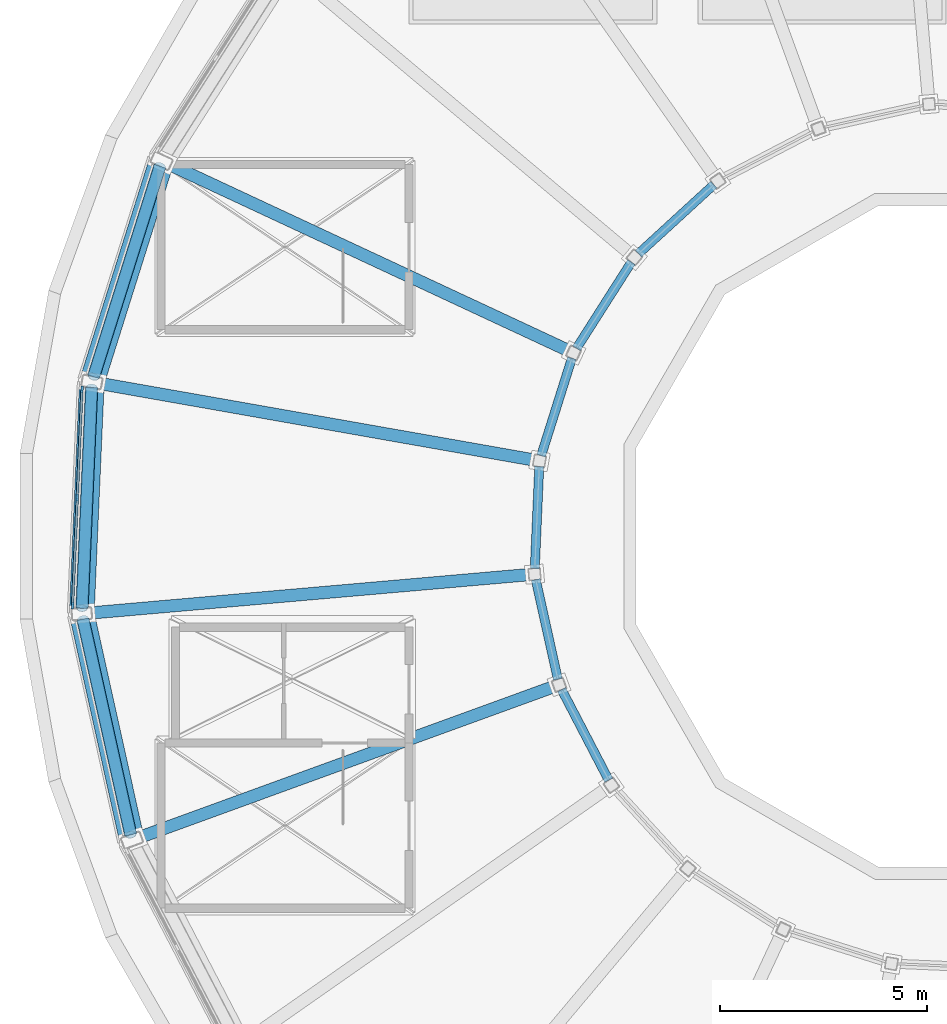
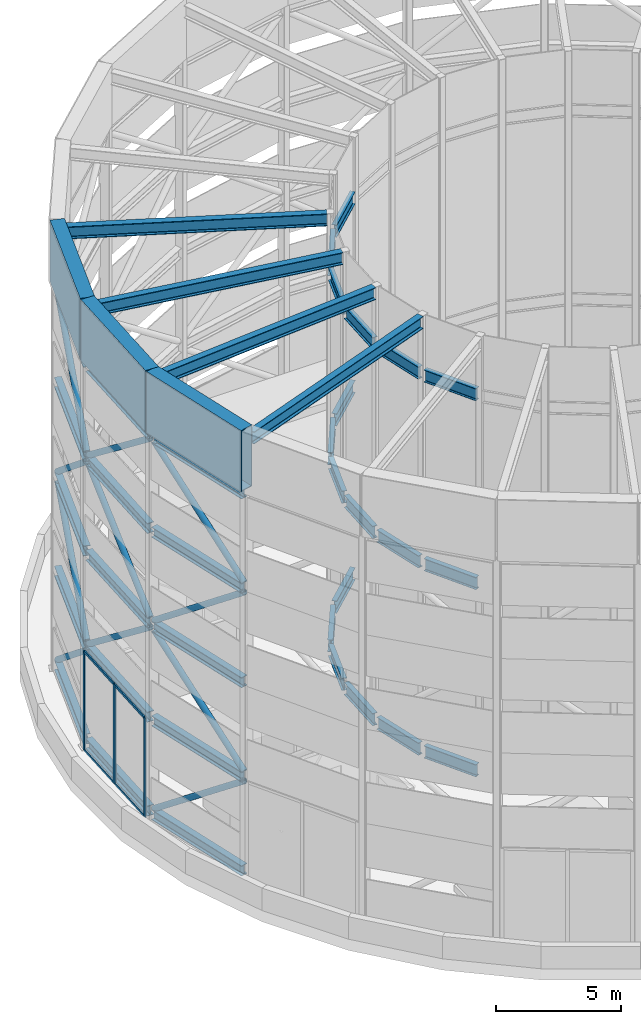
# One storey, part 6 of 20: 40 beams, 18 members, 1 element without a shape of its own.
"""IFC4 building model written with IfcOpenShell, lengths in metres."""

from ifc_helpers import new_model, si_unit, direction, frame, origin, origin_2d, place, context, subcontext, project, spatial, rectangle, hollow_rectangle, hollow_circle, i_section, extrude, material, layer, layer_set, material_profile, profile_set, type_object, element, aggregate, save


model = new_model("IFC4")

# Units and contexts
model_context = context("Model", 3, precision=1e-05, world=origin(), true_north=direction((0.0, 1.0)))
body_context = subcontext(model_context, "Body", "Model", "MODEL_VIEW")
ifc_project = project(units=[si_unit("LENGTHUNIT", "METRE"), si_unit("AREAUNIT", "SQUARE_METRE"), si_unit("VOLUMEUNIT", "CUBIC_METRE"), si_unit("PLANEANGLEUNIT", "RADIAN"), si_unit("MASSUNIT", "GRAM", prefix="KILO")], contexts=[model_context])

# Site, building, storey
site_placement = place(None, origin())
site = spatial("IfcSite", under=ifc_project, at=site_placement, CompositionType="ELEMENT")
building_placement = place(site_placement, origin())
building = spatial("IfcBuilding", under=site, at=building_placement, Name="Saqina Gate Tower", CompositionType="ELEMENT")
storey_placement = place(building_placement, frame((0.0, 0.0, 284.199951171875)))
storey = spatial("IfcBuildingStorey", under=building, at=storey_placement, Name="RF", CompositionType="ELEMENT", Elevation=284.199951171875)

# Curtain wall, members
ifc_material_1 = material(Name="Aluminium glazing", Category="aluminium")
ifc_layer = layer(ifc_material_1, 0.159912109375)
ifc_layer_set = layer_set([ifc_layer], Name="CWT-5")
curtain_wall_type = type_object("IfcCurtainWallType", Name="CWT-5", PredefinedType="NOTDEFINED", material=ifc_layer_set)
curtain_wall_placement = place(storey_placement, origin())
curtain_wall = element("IfcCurtainWall", 1, at=curtain_wall_placement, inside=storey, type_object=curtain_wall_type, Name="Crown glazing bay 12", PredefinedType="NOTDEFINED")
ifc_material_2 = material(Name="Aluminium", Category="aluminium")
ifc_material_profile_1 = material_profile(ifc_material_2, rectangle(XDim=0.06005859375, YDim=0.159912109375, at=origin_2d()), Name="Aluminium 60x160")
ifc_profile_set_1 = profile_set([ifc_material_profile_1], Name="Aluminium")
member_type_1 = type_object("IfcMemberType", Name="CWT-5M", PredefinedType="MULLION", material=ifc_profile_set_1)
member_1_placement = place(storey_placement, frame((-21.410888671875, 3.562744140625, 0.0), z_axis=(0.0, 0.0, 1.0), x_axis=(0.999047790721, -0.043629254589, 0.0)))
member_1 = element("IfcMember", 2, at=member_1_placement, type_object=member_type_1, Name="CW5-12 mullion 1", PredefinedType="MULLION", context=body_context, shape_type="SweptSolid", body=[
    extrude(rectangle(XDim=0.06005859375, YDim=0.159912109375, at=origin_2d()), origin(), (0.0, 0.0, 1.0), 4.875),
])
member_2_placement = place(storey_placement, frame((-21.525634765625, 0.939697265625, 0.0), z_axis=(0.0, 0.0, 1.0), x_axis=(0.999047790721, -0.043629254589, 0.0)))
member_2 = element("IfcMember", 3, at=member_2_placement, type_object=member_type_1, Name="CW5-12 mullion 2", PredefinedType="MULLION", context=body_context, shape_type="SweptSolid", body=[
    extrude(rectangle(XDim=0.06005859375, YDim=0.159912109375, at=origin_2d()), origin(), (0.0, 0.0, 1.0), 4.875),
])
member_3_placement = place(storey_placement, frame((-21.64013671875, -1.68310546875, 0.0), z_axis=(0.0, 0.0, 1.0), x_axis=(0.999047790721, -0.043629254589, 0.0)))
member_3 = element("IfcMember", 4, at=member_3_placement, type_object=member_type_1, Name="CW5-12 mullion 3", PredefinedType="MULLION", context=body_context, shape_type="SweptSolid", body=[
    extrude(rectangle(XDim=0.06005859375, YDim=0.159912109375, at=origin_2d()), origin(), (0.0, 0.0, 1.0), 4.875),
])
ifc_material_3 = material(Name="Aluminium", Category="aluminium")
ifc_material_profile_2 = material_profile(ifc_material_3, rectangle(XDim=0.06005859375, YDim=0.1201171875, at=origin_2d()), Name="Aluminium 60x120")
ifc_profile_set_2 = profile_set([ifc_material_profile_2], Name="Aluminium")
member_type_2 = type_object("IfcMemberType", Name="CWT-5T", PredefinedType="USERDEFINED", material=ifc_profile_set_2)
member_4_placement = place(storey_placement, frame((-21.412353515625, 3.53271484375, 0.030029296875), z_axis=(-0.043585897781, -0.999049683206, 0.0), x_axis=(0.999049683206, -0.043585897781, 0.0)))
member_4 = element("IfcMember", 5, at=member_4_placement, type_object=member_type_2, Name="CW5-12 transom 1.1", ObjectType="TRANSOM", PredefinedType="USERDEFINED", context=body_context, shape_type="SweptSolid", body=[
    extrude(rectangle(XDim=0.06005859375, YDim=0.1201171875, at=origin_2d()), origin(), (0.0, 0.0, 1.0), 2.5654296875),
])
member_5_placement = place(storey_placement, frame((-21.412353515625, 3.53271484375, 4.844970703125), z_axis=(-0.043585897781, -0.999049683206, 0.0), x_axis=(0.999049683206, -0.043585897781, 0.0)))
member_5 = element("IfcMember", 6, at=member_5_placement, type_object=member_type_2, Name="CW5-12 transom 1.2", ObjectType="TRANSOM", PredefinedType="USERDEFINED", context=body_context, shape_type="SweptSolid", body=[
    extrude(rectangle(XDim=0.06005859375, YDim=0.1201171875, at=origin_2d()), origin(), (0.0, 0.0, 1.0), 2.5654296875),
])
member_6_placement = place(storey_placement, frame((-21.52685546875, 0.909912109375, 0.030029296875), z_axis=(-0.043585897781, -0.999049683206, 0.0), x_axis=(0.999049683206, -0.043585897781, 0.0)))
member_6 = element("IfcMember", 7, at=member_6_placement, type_object=member_type_2, Name="CW5-12 transom 2.1", ObjectType="TRANSOM", PredefinedType="USERDEFINED", context=body_context, shape_type="SweptSolid", body=[
    extrude(rectangle(XDim=0.06005859375, YDim=0.1201171875, at=origin_2d()), origin(), (0.0, 0.0, 1.0), 2.5654296875),
])
member_7_placement = place(storey_placement, frame((-21.52685546875, 0.909912109375, 4.844970703125), z_axis=(-0.043585897781, -0.999049683206, 0.0), x_axis=(0.999049683206, -0.043585897781, 0.0)))
member_7 = element("IfcMember", 8, at=member_7_placement, type_object=member_type_2, Name="CW5-12 transom 2.2", ObjectType="TRANSOM", PredefinedType="USERDEFINED", context=body_context, shape_type="SweptSolid", body=[
    extrude(rectangle(XDim=0.06005859375, YDim=0.1201171875, at=origin_2d()), origin(), (0.0, 0.0, 1.0), 2.5654296875),
])
aggregate(curtain_wall, [member_1, member_2, member_3, member_4, member_5, member_6, member_7])

# Beams
ifc_material_4 = material(Name="Steel S460", Category="steel")
ifc_material_profile_3 = material_profile(ifc_material_4, hollow_rectangle(XDim=0.60009765625, YDim=3.0, WallThickness=0.0400390625, at=origin_2d()), Name="BOX 600x3000x40")
ifc_profile_set_3 = profile_set([ifc_material_profile_3], Name="Steel S460")
beam_type_1 = type_object("IfcBeamType", Name="STR-CROWN CAP GIRDER-BOX 600x3000x40", PredefinedType="BEAM", material=ifc_profile_set_3)
for number, where, z_axis, x_axis, name in (
    (9, (-19.485595703125, 9.086181640625, 20.5), (-0.300708729492, -0.953716026922, 0.0), (0.953716026922, -0.300708729492, 0.0), "CROWN CAP GIRDER 11"),
    (10, (-21.17333984375, 3.7333984375, 20.5), (-0.043629769301, -0.999047768243, 0.0), (0.999047768243, -0.043629769301, 0.0), "CROWN CAP GIRDER 12"),
):
    element("IfcBeam", number, at=place(storey_placement, frame(where, z_axis=z_axis, x_axis=x_axis)), inside=storey, type_object=beam_type_1, Name=name, PredefinedType="BEAM", context=body_context, shape_type="SweptSolid", body=[
        extrude(hollow_rectangle(XDim=0.60009765625, YDim=3.0, WallThickness=0.0400390625, at=origin_2d()), origin(), (0.0, 0.0, 1.0), 5.612548828125),
    ])
beam_1_placement = place(storey_placement, frame((-21.418212890625, -1.873779296875, 20.5), z_axis=(0.216442238202, -0.976295425331, 0.0), x_axis=(0.976295425331, 0.216442238202, 0.0)))
element("IfcBeam", 11, at=beam_1_placement, inside=storey, type_object=beam_type_1, Name="CROWN CAP GIRDER 13", PredefinedType="BEAM", context=body_context, shape_type="SweptSolid", body=[
    extrude(hollow_rectangle(XDim=0.60009765625, YDim=3.0, WallThickness=0.0400390625, at=origin_2d()), origin(), (0.0, 0.0, 1.0), 5.61279296875),
])
ifc_material_5 = material(Name="Steel S460", Category="steel")
ifc_material_profile_4 = material_profile(ifc_material_5, i_section(OverallWidth=0.300048828125, OverallDepth=0.60009765625, WebThickness=0.015380859375, FlangeThickness=0.030029296875, FilletRadius=0.027099609375, at=origin_2d()), Name="HE 600 B")
ifc_profile_set_4 = profile_set([ifc_material_profile_4], Name="Steel S460")
beam_type_2 = type_object("IfcBeamType", Name="STR-CROWN DECK BEAM-HE 600 B", PredefinedType="BEAM", material=ifc_profile_set_4)
for number, where, z_axis, x_axis, name in (
    (12, (-9.6357421875, 4.4931640625, 21.400146484375), (-0.906305271723, 0.422623655806, 0.0), (-0.422623655806, -0.906305271723, 0.0), "CROWN DECK BEAM 11"),
    (13, (-10.470458984375, 1.84619140625, 21.400146484375), (-0.984806342051, 0.173656179436, 0.0), (-0.173656179436, -0.984806342051, 0.0), "CROWN DECK BEAM 12"),
    (14, (-10.591552734375, -0.9267578125, 21.400146484375), (-0.99619607424, -0.087140011874, 0.0), (0.087140011874, -0.99619607424, 0.0), "CROWN DECK BEAM 13"),
):
    element("IfcBeam", number, at=place(storey_placement, frame(where, z_axis=z_axis, x_axis=x_axis)), inside=storey, type_object=beam_type_2, Name=name, PredefinedType="BEAM", context=body_context, shape_type="SweptSolid", body=[
        extrude(i_section(OverallWidth=0.300048828125, OverallDepth=0.60009765625, WebThickness=0.015380859375, FlangeThickness=0.030029296875, FilletRadius=0.027099609375, at=origin_2d()), origin(), (0.0, 0.0, 1.0), 10.568115234375),
    ])
beam_2_placement = place(storey_placement, frame((-9.99072265625, -3.636474609375, 21.400146484375), z_axis=(-0.939698955875, -0.342002737309, 0.0), x_axis=(0.342002737309, -0.939698955875, 0.0)))
element("IfcBeam", 15, at=beam_2_placement, inside=storey, type_object=beam_type_2, Name="CROWN DECK BEAM 14", PredefinedType="BEAM", context=body_context, shape_type="SweptSolid", body=[
    extrude(i_section(OverallWidth=0.300048828125, OverallDepth=0.60009765625, WebThickness=0.015380859375, FlangeThickness=0.030029296875, FilletRadius=0.027099609375, at=origin_2d()), origin(), (0.0, 0.0, 1.0), 10.56787109375),
])

# Members
ifc_material_6 = material(Name="Steel S460", Category="steel")
ifc_material_profile_5 = material_profile(ifc_material_6, hollow_circle(Radius=0.136474609375, WallThickness=0.012451171875, at=origin_2d()), Name="CHS 273x12.5")
ifc_profile_set_5 = profile_set([ifc_material_profile_5], Name="Steel S460")
member_type_3 = type_object("IfcMemberType", Name="STR-CROWN FRAME BRACE-CHS 273x12.5", PredefinedType="BRACE", material=ifc_profile_set_5)
for number, where, z_axis, x_axis, name in (
    (16, (-21.1337890625, 3.858642578125, 5.113037109375), (0.237602179448, 0.753663006597, 0.612810963355), (-0.953726695948, 0.300674889933, 0.0), "CROWN FRAME BRACE 2-11"),
    (17, (-21.17919921875, 3.602294921875, 5.113037109375), (-0.034437923072, -0.789475863672, 0.612814727413), (0.999049948939, -0.043579806387, 0.0), "CROWN FRAME BRACE 2-12"),
):
    element("IfcMember", number, at=place(storey_placement, frame(where, z_axis=z_axis, x_axis=x_axis)), inside=storey, type_object=member_type_3, Name=name, PredefinedType="BRACE", context=body_context, shape_type="SweptSolid", body=[
        extrude(hollow_circle(Radius=0.136474609375, WallThickness=0.012451171875, at=origin_2d()), origin(), (0.0, 0.0, 1.0), 6.770263671875),
    ])
member_8_placement = place(storey_placement, frame((-20.231689453125, -7.225341796875, 5.113037109375), z_axis=(-0.171032716507, 0.771504315764, 0.6128041291), x_axis=(-0.976297523926, -0.216432771955, 0.0)))
element("IfcMember", 18, at=member_8_placement, inside=storey, type_object=member_type_3, Name="CROWN FRAME BRACE 2-13", PredefinedType="BRACE", context=body_context, shape_type="SweptSolid", body=[
    extrude(hollow_circle(Radius=0.136474609375, WallThickness=0.012451171875, at=origin_2d()), origin(), (0.0, 0.0, 1.0), 6.7705078125),
])
for number, where, z_axis, x_axis, name in (
    (19, (-19.525146484375, 8.961181640625, 9.738037109375), (-0.237602179448, -0.753663006597, 0.612810963355), (0.953726695948, -0.300674889933, 0.0), "CROWN FRAME BRACE 3-11"),
    (20, (-21.412353515625, -1.74267578125, 9.738037109375), (0.034437923072, 0.789475863672, 0.612814727413), (-0.999049948939, 0.043579806387, 0.0), "CROWN FRAME BRACE 3-12"),
):
    element("IfcMember", number, at=place(storey_placement, frame(where, z_axis=z_axis, x_axis=x_axis)), inside=storey, type_object=member_type_3, Name=name, PredefinedType="BRACE", context=body_context, shape_type="SweptSolid", body=[
        extrude(hollow_circle(Radius=0.136474609375, WallThickness=0.012451171875, at=origin_2d()), origin(), (0.0, 0.0, 1.0), 6.770263671875),
    ])
member_9_placement = place(storey_placement, frame((-21.3896484375, -2.001953125, 9.738037109375), z_axis=(0.171032716507, -0.771504315764, 0.6128041291), x_axis=(0.976297523926, 0.216432771955, 0.0)))
element("IfcMember", 21, at=member_9_placement, inside=storey, type_object=member_type_3, Name="CROWN FRAME BRACE 3-13", PredefinedType="BRACE", context=body_context, shape_type="SweptSolid", body=[
    extrude(hollow_circle(Radius=0.136474609375, WallThickness=0.012451171875, at=origin_2d()), origin(), (0.0, 0.0, 1.0), 6.7705078125),
])
for number, where, z_axis, x_axis, name in (
    (22, (-21.1337890625, 3.858642578125, 14.363037109375), (0.237602179448, 0.753663006597, 0.612810963355), (-0.953726695948, 0.300674889933, 0.0), "CROWN FRAME BRACE 4-11"),
    (23, (-21.17919921875, 3.602294921875, 14.363037109375), (-0.034437923072, -0.789475863672, 0.612814727413), (0.999049948939, -0.043579806387, 0.0), "CROWN FRAME BRACE 4-12"),
):
    element("IfcMember", number, at=place(storey_placement, frame(where, z_axis=z_axis, x_axis=x_axis)), inside=storey, type_object=member_type_3, Name=name, PredefinedType="BRACE", context=body_context, shape_type="SweptSolid", body=[
        extrude(hollow_circle(Radius=0.136474609375, WallThickness=0.012451171875, at=origin_2d()), origin(), (0.0, 0.0, 1.0), 6.770263671875),
    ])
member_10_placement = place(storey_placement, frame((-20.231689453125, -7.225341796875, 14.363037109375), z_axis=(-0.171032716507, 0.771504315764, 0.6128041291), x_axis=(-0.976297523926, -0.216432771955, 0.0)))
element("IfcMember", 24, at=member_10_placement, inside=storey, type_object=member_type_3, Name="CROWN FRAME BRACE 4-13", PredefinedType="BRACE", context=body_context, shape_type="SweptSolid", body=[
    extrude(hollow_circle(Radius=0.136474609375, WallThickness=0.012451171875, at=origin_2d()), origin(), (0.0, 0.0, 1.0), 6.7705078125),
])
ifc_material_7 = material(Name="Steel S460", Category="steel")
ifc_material_profile_6 = material_profile(ifc_material_7, hollow_circle(Radius=0.136474609375, WallThickness=0.02490234375, at=origin_2d()), Name="CHS 273x25")
ifc_profile_set_6 = profile_set([ifc_material_profile_6], Name="Steel S460")
member_type_4 = type_object("IfcMemberType", Name="STR-CROWN FRAME BRACE-CHS 273x25", PredefinedType="BRACE", material=ifc_profile_set_6)
for number, where, z_axis, x_axis, name in (
    (25, (-19.525146484375, 8.961181640625, 0.512939453125), (-0.238137938735, -0.755362410009, 0.61050630765), (0.953726695948, -0.300674889933, 0.0), "CROWN FRAME BRACE 1-11"),
    (26, (-21.3896484375, -2.001953125, 0.512939453125), (0.171418362445, -0.77324390987, 0.610499468358), (0.976297523926, 0.216432771955, 0.0), "CROWN FRAME BRACE 1-13"),
):
    element("IfcMember", number, at=place(storey_placement, frame(where, z_axis=z_axis, x_axis=x_axis)), inside=storey, type_object=member_type_4, Name=name, PredefinedType="BRACE", context=body_context, shape_type="SweptSolid", body=[
        extrude(hollow_circle(Radius=0.136474609375, WallThickness=0.02490234375, at=origin_2d()), origin(), (0.0, 0.0, 1.0), 6.755126953125),
    ])

# Beams
ifc_material_8 = material(Name="Steel S460", Category="steel")
ifc_material_profile_7 = material_profile(ifc_material_8, i_section(OverallWidth=0.219970703125, OverallDepth=0.60009765625, WebThickness=0.011962890625, FlangeThickness=0.01904296875, FilletRadius=0.02392578125, at=origin_2d()), Name="IPE 600")
ifc_profile_set_7 = profile_set([ifc_material_profile_7], Name="Steel S460")
beam_type_3 = type_object("IfcBeamType", Name="STR-CROWN RING BEAM INNER-IPE 600", PredefinedType="BEAM", material=ifc_profile_set_7)
beam_3_placement = place(storey_placement, frame((-6.119384765625, 8.512451171875, 0.324951171875), z_axis=(-0.737264523509, -0.675604190614, 0.0), x_axis=(0.675604190614, -0.737264523509, 0.0)))
element("IfcBeam", 27, at=beam_3_placement, inside=storey, type_object=beam_type_3, Name="CROWN RING BEAM INNER 1-09", PredefinedType="BEAM", context=body_context, shape_type="SweptSolid", body=[
    extrude(i_section(OverallWidth=0.219970703125, OverallDepth=0.60009765625, WebThickness=0.011962890625, FlangeThickness=0.01904296875, FilletRadius=0.02392578125, at=origin_2d()), origin(), (0.0, 0.0, 1.0), 2.478515625),
])
beam_4_placement = place(storey_placement, frame((-8.114013671875, 6.638427734375, 0.324951171875), z_axis=(-0.537372585225, -0.843344949975, 0.0), x_axis=(0.843344949975, -0.537372585225, 0.0)))
element("IfcBeam", 28, at=beam_4_placement, inside=storey, type_object=beam_type_3, Name="CROWN RING BEAM INNER 1-10", PredefinedType="BEAM", context=body_context, shape_type="SweptSolid", body=[
    extrude(i_section(OverallWidth=0.219970703125, OverallDepth=0.60009765625, WebThickness=0.011962890625, FlangeThickness=0.01904296875, FilletRadius=0.02392578125, at=origin_2d()), origin(), (0.0, 0.0, 1.0), 2.478271484375),
])
for number, where, z_axis, x_axis, name in (
    (29, (-9.5556640625, 4.312255859375, 0.324951171875), (-0.300730628861, -0.953709121727, 0.0), (0.953709121727, -0.300730628861, 0.0), "CROWN RING BEAM INNER 1-11"),
    (30, (-10.34619140625, 1.692138671875, 0.324951171875), (-0.043638138376, -0.999047402719, 0.0), (0.999047402719, -0.043638138376, 0.0), "CROWN RING BEAM INNER 1-12"),
):
    element("IfcBeam", number, at=place(storey_placement, frame(where, z_axis=z_axis, x_axis=x_axis)), inside=storey, type_object=beam_type_3, Name=name, PredefinedType="BEAM", context=body_context, shape_type="SweptSolid", body=[
        extrude(i_section(OverallWidth=0.219970703125, OverallDepth=0.60009765625, WebThickness=0.011962890625, FlangeThickness=0.01904296875, FilletRadius=0.02392578125, at=origin_2d()), origin(), (0.0, 0.0, 1.0), 2.478515625),
    ])
beam_5_placement = place(storey_placement, frame((-10.431640625, -1.043212890625, 0.324951171875), z_axis=(0.216398540267, -0.976305112027, 0.0), x_axis=(0.976305112027, 0.216398540267, 0.0)))
element("IfcBeam", 31, at=beam_5_placement, inside=storey, type_object=beam_type_3, Name="CROWN RING BEAM INNER 1-13", PredefinedType="BEAM", context=body_context, shape_type="SweptSolid", body=[
    extrude(i_section(OverallWidth=0.219970703125, OverallDepth=0.60009765625, WebThickness=0.011962890625, FlangeThickness=0.01904296875, FilletRadius=0.02392578125, at=origin_2d()), origin(), (0.0, 0.0, 1.0), 2.478759765625),
])
beam_6_placement = place(storey_placement, frame((-9.80615234375, -3.707763671875, 0.324951171875), z_axis=(0.461811723388, -0.886977977258, 0.0), x_axis=(0.886977977258, 0.461811723388, 0.0)))
element("IfcBeam", 32, at=beam_6_placement, inside=storey, type_object=beam_type_3, Name="CROWN RING BEAM INNER 1-14", PredefinedType="BEAM", context=body_context, shape_type="SweptSolid", body=[
    extrude(i_section(OverallWidth=0.219970703125, OverallDepth=0.60009765625, WebThickness=0.011962890625, FlangeThickness=0.01904296875, FilletRadius=0.02392578125, at=origin_2d()), origin(), (0.0, 0.0, 1.0), 2.478271484375),
])
beam_7_placement = place(storey_placement, frame((-6.119384765625, 8.512451171875, 9.5), z_axis=(-0.737264523509, -0.675604190614, 0.0), x_axis=(0.675604190614, -0.737264523509, 0.0)))
element("IfcBeam", 33, at=beam_7_placement, inside=storey, type_object=beam_type_3, Name="CROWN RING BEAM INNER 3-09", PredefinedType="BEAM", context=body_context, shape_type="SweptSolid", body=[
    extrude(i_section(OverallWidth=0.219970703125, OverallDepth=0.60009765625, WebThickness=0.011962890625, FlangeThickness=0.01904296875, FilletRadius=0.02392578125, at=origin_2d()), origin(), (0.0, 0.0, 1.0), 2.478515625),
])
beam_8_placement = place(storey_placement, frame((-8.114013671875, 6.638427734375, 9.5), z_axis=(-0.537372585225, -0.843344949975, 0.0), x_axis=(0.843344949975, -0.537372585225, 0.0)))
element("IfcBeam", 34, at=beam_8_placement, inside=storey, type_object=beam_type_3, Name="CROWN RING BEAM INNER 3-10", PredefinedType="BEAM", context=body_context, shape_type="SweptSolid", body=[
    extrude(i_section(OverallWidth=0.219970703125, OverallDepth=0.60009765625, WebThickness=0.011962890625, FlangeThickness=0.01904296875, FilletRadius=0.02392578125, at=origin_2d()), origin(), (0.0, 0.0, 1.0), 2.478271484375),
])
for number, where, z_axis, x_axis, name in (
    (35, (-9.5556640625, 4.312255859375, 9.5), (-0.300730628861, -0.953709121727, 0.0), (0.953709121727, -0.300730628861, 0.0), "CROWN RING BEAM INNER 3-11"),
    (36, (-10.34619140625, 1.692138671875, 9.5), (-0.043638138376, -0.999047402719, 0.0), (0.999047402719, -0.043638138376, 0.0), "CROWN RING BEAM INNER 3-12"),
):
    element("IfcBeam", number, at=place(storey_placement, frame(where, z_axis=z_axis, x_axis=x_axis)), inside=storey, type_object=beam_type_3, Name=name, PredefinedType="BEAM", context=body_context, shape_type="SweptSolid", body=[
        extrude(i_section(OverallWidth=0.219970703125, OverallDepth=0.60009765625, WebThickness=0.011962890625, FlangeThickness=0.01904296875, FilletRadius=0.02392578125, at=origin_2d()), origin(), (0.0, 0.0, 1.0), 2.478515625),
    ])
beam_9_placement = place(storey_placement, frame((-10.431640625, -1.043212890625, 9.5), z_axis=(0.216398540267, -0.976305112027, 0.0), x_axis=(0.976305112027, 0.216398540267, 0.0)))
element("IfcBeam", 37, at=beam_9_placement, inside=storey, type_object=beam_type_3, Name="CROWN RING BEAM INNER 3-13", PredefinedType="BEAM", context=body_context, shape_type="SweptSolid", body=[
    extrude(i_section(OverallWidth=0.219970703125, OverallDepth=0.60009765625, WebThickness=0.011962890625, FlangeThickness=0.01904296875, FilletRadius=0.02392578125, at=origin_2d()), origin(), (0.0, 0.0, 1.0), 2.478759765625),
])
beam_10_placement = place(storey_placement, frame((-9.80615234375, -3.707763671875, 9.5), z_axis=(0.461811723388, -0.886977977258, 0.0), x_axis=(0.886977977258, 0.461811723388, 0.0)))
element("IfcBeam", 38, at=beam_10_placement, inside=storey, type_object=beam_type_3, Name="CROWN RING BEAM INNER 3-14", PredefinedType="BEAM", context=body_context, shape_type="SweptSolid", body=[
    extrude(i_section(OverallWidth=0.219970703125, OverallDepth=0.60009765625, WebThickness=0.011962890625, FlangeThickness=0.01904296875, FilletRadius=0.02392578125, at=origin_2d()), origin(), (0.0, 0.0, 1.0), 2.478271484375),
])
beam_11_placement = place(storey_placement, frame((-6.119384765625, 8.512451171875, 18.75), z_axis=(-0.737264523509, -0.675604190614, 0.0), x_axis=(0.675604190614, -0.737264523509, 0.0)))
element("IfcBeam", 39, at=beam_11_placement, inside=storey, type_object=beam_type_3, Name="CROWN RING BEAM INNER 5-09", PredefinedType="BEAM", context=body_context, shape_type="SweptSolid", body=[
    extrude(i_section(OverallWidth=0.219970703125, OverallDepth=0.60009765625, WebThickness=0.011962890625, FlangeThickness=0.01904296875, FilletRadius=0.02392578125, at=origin_2d()), origin(), (0.0, 0.0, 1.0), 2.478515625),
])
beam_12_placement = place(storey_placement, frame((-8.114013671875, 6.638427734375, 18.75), z_axis=(-0.537372585225, -0.843344949975, 0.0), x_axis=(0.843344949975, -0.537372585225, 0.0)))
element("IfcBeam", 40, at=beam_12_placement, inside=storey, type_object=beam_type_3, Name="CROWN RING BEAM INNER 5-10", PredefinedType="BEAM", context=body_context, shape_type="SweptSolid", body=[
    extrude(i_section(OverallWidth=0.219970703125, OverallDepth=0.60009765625, WebThickness=0.011962890625, FlangeThickness=0.01904296875, FilletRadius=0.02392578125, at=origin_2d()), origin(), (0.0, 0.0, 1.0), 2.478271484375),
])
for number, where, z_axis, x_axis, name in (
    (41, (-9.5556640625, 4.312255859375, 18.75), (-0.300730628861, -0.953709121727, 0.0), (0.953709121727, -0.300730628861, 0.0), "CROWN RING BEAM INNER 5-11"),
    (42, (-10.34619140625, 1.692138671875, 18.75), (-0.043638138376, -0.999047402719, 0.0), (0.999047402719, -0.043638138376, 0.0), "CROWN RING BEAM INNER 5-12"),
):
    element("IfcBeam", number, at=place(storey_placement, frame(where, z_axis=z_axis, x_axis=x_axis)), inside=storey, type_object=beam_type_3, Name=name, PredefinedType="BEAM", context=body_context, shape_type="SweptSolid", body=[
        extrude(i_section(OverallWidth=0.219970703125, OverallDepth=0.60009765625, WebThickness=0.011962890625, FlangeThickness=0.01904296875, FilletRadius=0.02392578125, at=origin_2d()), origin(), (0.0, 0.0, 1.0), 2.478515625),
    ])
beam_13_placement = place(storey_placement, frame((-10.431640625, -1.043212890625, 18.75), z_axis=(0.216398540267, -0.976305112027, 0.0), x_axis=(0.976305112027, 0.216398540267, 0.0)))
element("IfcBeam", 43, at=beam_13_placement, inside=storey, type_object=beam_type_3, Name="CROWN RING BEAM INNER 5-13", PredefinedType="BEAM", context=body_context, shape_type="SweptSolid", body=[
    extrude(i_section(OverallWidth=0.219970703125, OverallDepth=0.60009765625, WebThickness=0.011962890625, FlangeThickness=0.01904296875, FilletRadius=0.02392578125, at=origin_2d()), origin(), (0.0, 0.0, 1.0), 2.478759765625),
])
beam_14_placement = place(storey_placement, frame((-9.80615234375, -3.707763671875, 18.75), z_axis=(0.461811723388, -0.886977977258, 0.0), x_axis=(0.886977977258, 0.461811723388, 0.0)))
element("IfcBeam", 44, at=beam_14_placement, inside=storey, type_object=beam_type_3, Name="CROWN RING BEAM INNER 5-14", PredefinedType="BEAM", context=body_context, shape_type="SweptSolid", body=[
    extrude(i_section(OverallWidth=0.219970703125, OverallDepth=0.60009765625, WebThickness=0.011962890625, FlangeThickness=0.01904296875, FilletRadius=0.02392578125, at=origin_2d()), origin(), (0.0, 0.0, 1.0), 2.478271484375),
])
ifc_material_9 = material(Name="Steel S460", Category="steel")
ifc_material_profile_8 = material_profile(ifc_material_9, i_section(OverallWidth=0.300048828125, OverallDepth=0.5, WebThickness=0.014404296875, FlangeThickness=0.028076171875, FilletRadius=0.027099609375, at=origin_2d()), Name="HE 500 B")
ifc_profile_set_8 = profile_set([ifc_material_profile_8], Name="Steel S460")
beam_type_4 = type_object("IfcBeamType", Name="STR-CROWN RING BEAM-HE 500 B", PredefinedType="BEAM", material=ifc_profile_set_8)
for number, where, z_axis, x_axis, name in (
    (45, (-19.525146484375, 8.961181640625, 0.275146484375), (-0.300674889933, -0.953726695948, 0.0), (0.953726695948, -0.300674889933, 0.0), "CROWN RING BEAM 1-11"),
    (46, (-21.17919921875, 3.602294921875, 0.275146484375), (-0.043579806387, -0.999049948939, 0.0), (0.999049948939, -0.043579806387, 0.0), "CROWN RING BEAM 1-12"),
    (47, (-21.3896484375, -2.001953125, 0.275146484375), (0.216432771955, -0.976297523926, 0.0), (0.976297523926, 0.216432771955, 0.0), "CROWN RING BEAM 1-13"),
    (48, (-19.525146484375, 8.961181640625, 4.875), (-0.300674889933, -0.953726695948, 0.0), (0.953726695948, -0.300674889933, 0.0), "CROWN RING BEAM 2-11"),
    (49, (-21.17919921875, 3.602294921875, 4.875), (-0.043579806387, -0.999049948939, 0.0), (0.999049948939, -0.043579806387, 0.0), "CROWN RING BEAM 2-12"),
    (50, (-21.3896484375, -2.001953125, 4.875), (0.216432771955, -0.976297523926, 0.0), (0.976297523926, 0.216432771955, 0.0), "CROWN RING BEAM 2-13"),
    (51, (-19.525146484375, 8.961181640625, 9.5), (-0.300674889933, -0.953726695948, 0.0), (0.953726695948, -0.300674889933, 0.0), "CROWN RING BEAM 3-11"),
    (52, (-21.17919921875, 3.602294921875, 9.5), (-0.043579806387, -0.999049948939, 0.0), (0.999049948939, -0.043579806387, 0.0), "CROWN RING BEAM 3-12"),
    (53, (-21.3896484375, -2.001953125, 9.5), (0.216432771955, -0.976297523926, 0.0), (0.976297523926, 0.216432771955, 0.0), "CROWN RING BEAM 3-13"),
    (54, (-19.525146484375, 8.961181640625, 14.125), (-0.300674889933, -0.953726695948, 0.0), (0.953726695948, -0.300674889933, 0.0), "CROWN RING BEAM 4-11"),
    (55, (-21.17919921875, 3.602294921875, 14.125), (-0.043579806387, -0.999049948939, 0.0), (0.999049948939, -0.043579806387, 0.0), "CROWN RING BEAM 4-12"),
    (56, (-21.3896484375, -2.001953125, 14.125), (0.216432771955, -0.976297523926, 0.0), (0.976297523926, 0.216432771955, 0.0), "CROWN RING BEAM 4-13"),
    (57, (-19.525146484375, 8.961181640625, 18.75), (-0.300674889933, -0.953726695948, 0.0), (0.953726695948, -0.300674889933, 0.0), "CROWN RING BEAM 5-11"),
    (58, (-21.17919921875, 3.602294921875, 18.75), (-0.043579806387, -0.999049948939, 0.0), (0.999049948939, -0.043579806387, 0.0), "CROWN RING BEAM 5-12"),
    (59, (-21.3896484375, -2.001953125, 18.75), (0.216432771955, -0.976297523926, 0.0), (0.976297523926, 0.216432771955, 0.0), "CROWN RING BEAM 5-13"),
):
    element("IfcBeam", number, at=place(storey_placement, frame(where, z_axis=z_axis, x_axis=x_axis)), inside=storey, type_object=beam_type_4, Name=name, PredefinedType="BEAM", context=body_context, shape_type="SweptSolid", body=[
        extrude(i_section(OverallWidth=0.300048828125, OverallDepth=0.5, WebThickness=0.014404296875, FlangeThickness=0.028076171875, FilletRadius=0.027099609375, at=origin_2d()), origin(), (0.0, 0.0, 1.0), 5.35009765625),
    ])

save(model, "model.ifc")
